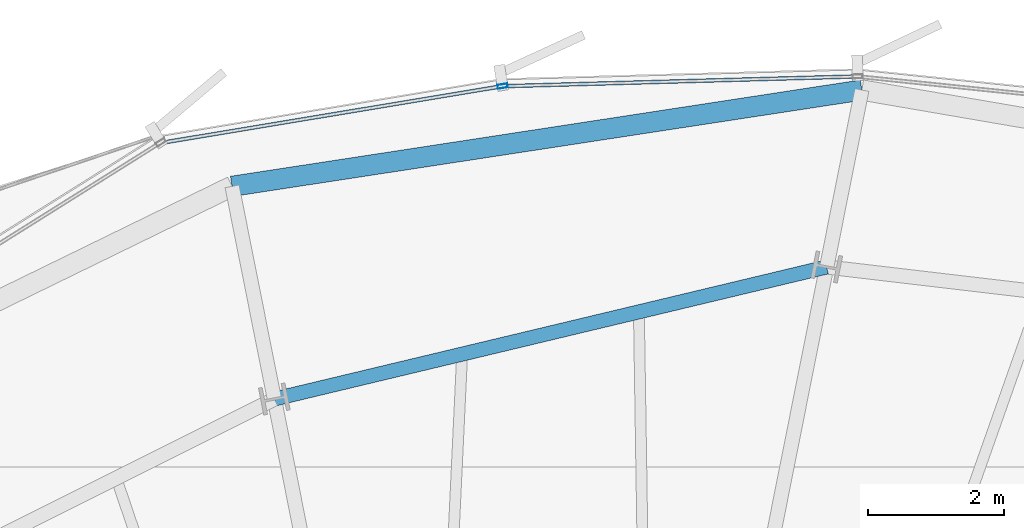
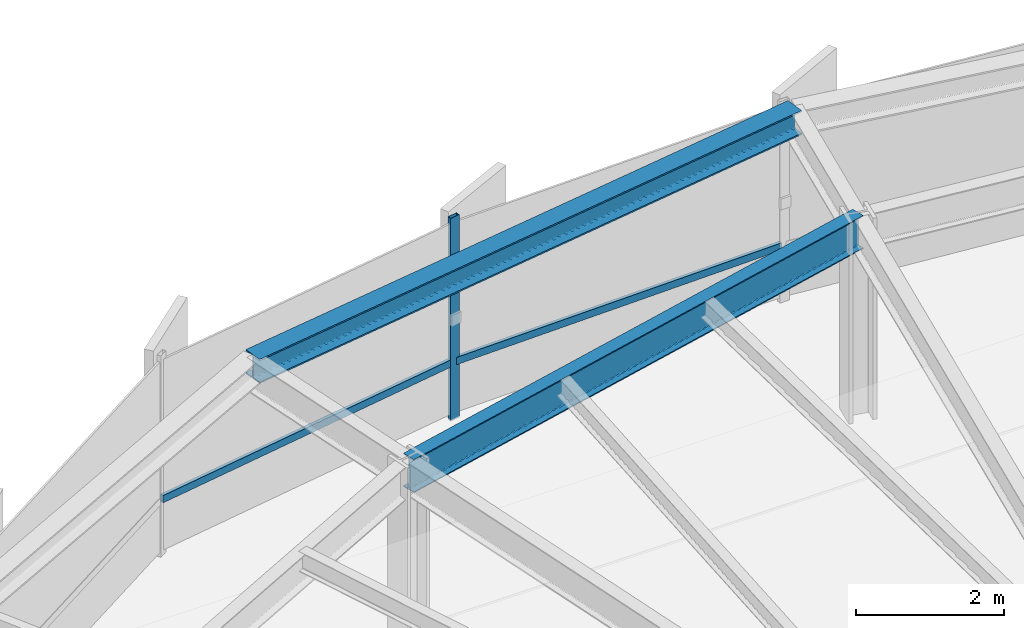
# One storey, part 22 of 35: 3 members, 2 beams, 1 element without a shape of its own.
"""IFC4 building model written with IfcOpenShell, lengths in metres."""

from ifc_helpers import new_model, si_unit, direction, frame, origin, origin_2d, place, context, subcontext, project, spatial, hollow_rectangle, i_section, extrude, source, transform, mapped, material, layer, layer_set, material_profile, profile_set, type_object, element, aggregate, save


model = new_model("IFC4")

# Units and contexts
model_context = context("Model", 3, precision=1e-05, world=origin(), true_north=direction((0.0, 1.0)))
body_context = subcontext(model_context, "Body", "Model", "MODEL_VIEW")
ifc_project = project(units=[si_unit("LENGTHUNIT", "METRE"), si_unit("AREAUNIT", "SQUARE_METRE"), si_unit("VOLUMEUNIT", "CUBIC_METRE"), si_unit("PLANEANGLEUNIT", "RADIAN"), si_unit("MASSUNIT", "GRAM", prefix="KILO"), si_unit("THERMODYNAMICTEMPERATUREUNIT", "KELVIN")], contexts=[model_context])

# Site, building, storey
site_placement = place(None, origin())
site = spatial("IfcSite", under=ifc_project, at=site_placement, CompositionType="ELEMENT")
building_placement = place(site_placement, origin())
building = spatial("IfcBuilding", under=site, at=building_placement, Name="Kethvar Cultural Tower", CompositionType="ELEMENT")
storey_placement = place(building_placement, frame((0.0, 0.0, 89.199951171875)))
storey = spatial("IfcBuildingStorey", under=building, at=storey_placement, Name="L21", CompositionType="ELEMENT", Elevation=89.199951171875)

# Beams
ifc_material_1 = material(Name="Steel S355J2", Category="steel")
ifc_material_profile_1 = material_profile(ifc_material_1, i_section(OverallWidth=0.2099609375, OverallDepth=0.550048828125, WebThickness=0.010986328125, FlangeThickness=0.01708984375, FilletRadius=0.02392578125, at=origin_2d()), Name="Steel S355J2 — IPE550")
ifc_profile_set_1 = profile_set([ifc_material_profile_1], Name="Steel S355J2 — IPE550")
beam_type_1 = type_object("IfcBeamType", Name="BM-IPE550", PredefinedType="BEAM", material=ifc_profile_set_1)
shared_shape_1 = source(origin(), body_context, "Body", "SweptSolid", [
    extrude(i_section(OverallWidth=0.2099609375, OverallDepth=0.550048828125, WebThickness=0.010986328125, FlangeThickness=0.01708984375, FilletRadius=0.02392578125, at=origin_2d()), origin(), (0.0, 0.0, 1.0), 8.379150390625),
])
beam_1_placement = place(storey_placement, frame((51.068603515625, 49.25927734375, 3.072998046875), z_axis=(-0.972601380857, -0.232479147355, 0.0), x_axis=(0.232479147355, -0.972601380857, 0.0)))
element("IfcBeam", 1, at=beam_1_placement, inside=storey, type_object=beam_type_1, Name="L21 Column Ring Tie Beam CR-04", PredefinedType="BEAM", context=body_context, shape_type="MappedRepresentation", body=[
    mapped(shared_shape_1, transform((0.0, 0.0, 0.0), scale=1.0)),
])
ifc_material_profile_2 = material_profile(ifc_material_1, i_section(OverallWidth=0.300048828125, OverallDepth=0.39990234375, WebThickness=0.013427734375, FlangeThickness=0.02392578125, FilletRadius=0.027099609375, at=origin_2d()), Name="Steel S355J2 — HEB400")
ifc_profile_set_2 = profile_set([ifc_material_profile_2], Name="Steel S355J2 — HEB400")
beam_type_2 = type_object("IfcBeamType", Name="BM-SP400", PredefinedType="SPANDREL", material=ifc_profile_set_2)
shared_shape_2 = source(origin(), body_context, "Body", "SweptSolid", [
    extrude(i_section(OverallWidth=0.300048828125, OverallDepth=0.39990234375, WebThickness=0.013427734375, FlangeThickness=0.02392578125, FilletRadius=0.027099609375, at=origin_2d()), origin(), (0.0, 0.0, 1.0), 9.401123046875),
])
beam_2_placement = place(storey_placement, frame((51.587890625, 51.869873046875, 3.14794921875), z_axis=(-0.988524012505, -0.151063816649, 0.0), x_axis=(0.151063816649, -0.988524012505, 0.0)))
element("IfcBeam", 2, at=beam_2_placement, inside=storey, type_object=beam_type_2, Name="L21 Perimeter Spandrel Beam SP-04", PredefinedType="SPANDREL", context=body_context, shape_type="MappedRepresentation", body=[
    mapped(shared_shape_2, transform((0.0, 0.0, 0.0), scale=1.0)),
])

# Curtain wall, members
ifc_material_2 = material(Name="Aluminium 6063-T6", Category="aluminium")
ifc_layer = layer(ifc_material_2, 0.179931640625, Name="Aluminium 6063-T6", Category="aluminium")
ifc_layer_set = layer_set([ifc_layer], Name="Aluminium 6063-T6 (180 mm)")
curtain_wall_type = type_object("IfcCurtainWallType", Name="CW-SYS-03-Z2", PredefinedType="NOTDEFINED", material=ifc_layer_set)
curtain_wall_placement = place(storey_placement, origin())
curtain_wall = element("IfcCurtainWall", 3, at=curtain_wall_placement, inside=storey, type_object=curtain_wall_type, Name="L21 Curtain Wall Run 02", PredefinedType="NOTDEFINED")
ifc_material_profile_3 = material_profile(ifc_material_2, hollow_rectangle(XDim=0.06005859375, YDim=0.14990234375, WallThickness=0.0048828125, at=origin_2d()), Name="Aluminium 6063-T6 — RHS150x60x5")
ifc_profile_set_3 = profile_set([ifc_material_profile_3], Name="Aluminium 6063-T6 — RHS150x60x5")
member_type_1 = type_object("IfcMemberType", Name="CW-SYS-03-Z2-MUL", PredefinedType="MULLION", material=ifc_profile_set_3)
shared_shape_3 = source(origin(), body_context, "Body", "SweptSolid", [
    extrude(hollow_rectangle(XDim=0.06005859375, YDim=0.14990234375, WallThickness=0.0048828125, at=origin_2d()), origin(), (0.0, 0.0, 1.0), 3.35009765625),
])
member_1_placement = place(storey_placement, frame((46.287109375, 51.927490234375, 0.0), z_axis=(0.0, 0.0, 1.0), x_axis=(0.163894159894, -0.986477928974, 0.0)))
member_1 = element("IfcMember", 4, at=member_1_placement, type_object=member_type_1, Name="CW-L21-R02 Mullion 3", PredefinedType="MULLION", context=body_context, shape_type="MappedRepresentation", body=[
    mapped(shared_shape_3, transform((0.0, 0.0, 0.0), scale=1.0)),
])
ifc_material_profile_4 = material_profile(ifc_material_2, hollow_rectangle(XDim=0.054931640625, YDim=0.1201171875, WallThickness=0.00390625, at=origin_2d()), Name="Aluminium 6063-T6 — RHS120x55x4")
ifc_profile_set_4 = profile_set([ifc_material_profile_4], Name="Aluminium 6063-T6 — RHS120x55x4")
member_type_2 = type_object("IfcMemberType", Name="CW-SYS-03-Z2-TRN", PredefinedType="USERDEFINED", material=ifc_profile_set_4)
shared_shape_4 = source(origin(), body_context, "Body", "SweptSolid", [
    extrude(hollow_rectangle(XDim=0.054931640625, YDim=0.1201171875, WallThickness=0.00390625, at=origin_2d()), origin(), (0.0, 0.0, 1.0), 5.169677734375),
])
member_2_placement = place(storey_placement, frame((51.482421875, 52.06982421875, 0.949951171875), z_axis=(-0.999618306811, -0.027626811049, 0.0), x_axis=(0.027626811049, -0.999618306811, 0.0)))
member_2 = element("IfcMember", 5, at=member_2_placement, type_object=member_type_2, Name="CW-L21-R02 Transom 2", ObjectType="TRANSOM", PredefinedType="USERDEFINED", context=body_context, shape_type="MappedRepresentation", body=[
    mapped(shared_shape_4, transform((0.0, 0.0, 0.0), scale=1.0)),
])
shared_shape_5 = source(origin(), body_context, "Body", "SweptSolid", [
    extrude(hollow_rectangle(XDim=0.054931640625, YDim=0.1201171875, WallThickness=0.00390625, at=origin_2d()), origin(), (0.0, 0.0, 1.0), 5.068359375),
])
member_3_placement = place(storey_placement, frame((46.244384765625, 51.92041015625, 0.949951171875), z_axis=(-0.986473224133, -0.163922475791, 0.0), x_axis=(0.163922475791, -0.986473224133, 0.0)))
member_3 = element("IfcMember", 6, at=member_3_placement, type_object=member_type_2, Name="CW-L21-R02 Transom 3", ObjectType="TRANSOM", PredefinedType="USERDEFINED", context=body_context, shape_type="MappedRepresentation", body=[
    mapped(shared_shape_5, transform((0.0, 0.0, 0.0), scale=1.0)),
])
aggregate(curtain_wall, [member_1, member_2, member_3])

save(model, "model.ifc")
